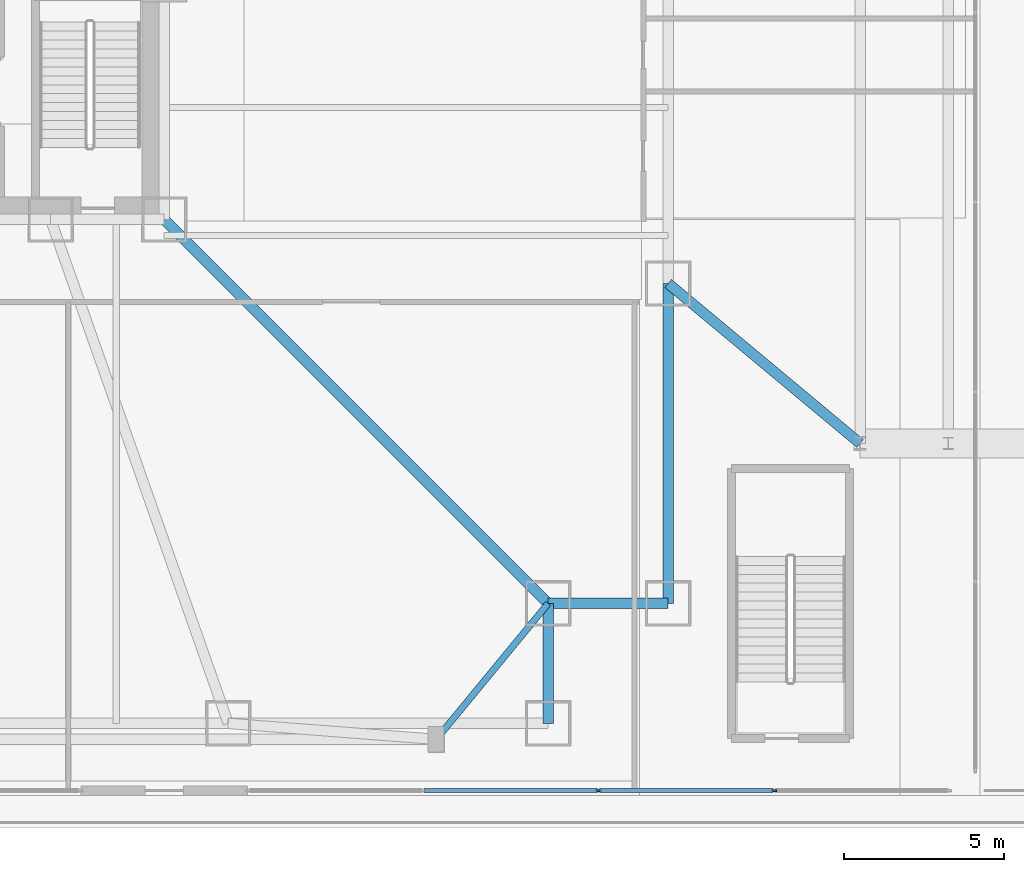
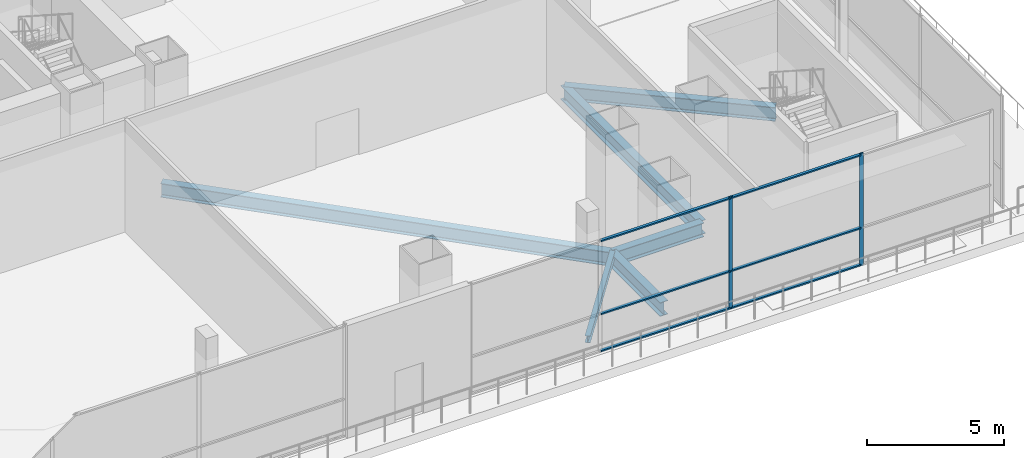
# One storey, part 10 of 36: 8 members, 6 beams, 1 element without a shape of its own.
"""IFC4 building model written with IfcOpenShell, lengths in metres."""

from ifc_helpers import new_model, si_unit, direction, frame, origin, origin_2d, place, context, subcontext, project, spatial, rectangle, i_section, extrude, material, layer, layer_set, material_profile, profile_set, type_object, element, aggregate, save


model = new_model("IFC4")

# Units and contexts
model_context = context("Model", 3, precision=1e-05, world=origin(), true_north=direction((0.0, 1.0)))
body_context = subcontext(model_context, "Body", "Model", "MODEL_VIEW")
ifc_project = project(units=[si_unit("LENGTHUNIT", "METRE"), si_unit("AREAUNIT", "SQUARE_METRE"), si_unit("VOLUMEUNIT", "CUBIC_METRE"), si_unit("PLANEANGLEUNIT", "RADIAN"), si_unit("MASSUNIT", "GRAM", prefix="KILO")], contexts=[model_context])

# Site, building, storey
site_placement = place(None, origin())
site = spatial("IfcSite", under=ifc_project, at=site_placement, CompositionType="ELEMENT")
building_placement = place(site_placement, origin())
building = spatial("IfcBuilding", under=site, at=building_placement, Name="Trevonay Congress Spire", CompositionType="ELEMENT")
storey_placement = place(building_placement, frame((0.0, 0.0, 16.199951171875)))
storey = spatial("IfcBuildingStorey", under=building, at=storey_placement, Name="L03", CompositionType="ELEMENT", Elevation=16.199951171875)

# Beams
ifc_material_1 = material(Name="Steel ASTM A572 Grade 50", Category="steel")
ifc_material_profile_1 = material_profile(ifc_material_1, i_section(OverallWidth=0.324951171875, OverallDepth=0.615966796875, WebThickness=0.013916015625, FlangeThickness=0.021484375, FilletRadius=0.01806640625, at=origin_2d()), Name="W610x174")
ifc_profile_set_1 = profile_set([ifc_material_profile_1], Name="Steel ASTM A572 Grade 50")
beam_type_1 = type_object("IfcBeamType", Name="BM-GIRD-W610X174", PredefinedType="BEAM", material=ifc_profile_set_1)
beam_1_placement = place(storey_placement, frame((19.5, -23.25, -0.7080078125), z_axis=(0.0, 1.0, 0.0), x_axis=(-1.0, 0.0, 0.0)))
element("IfcBeam", 1, at=beam_1_placement, inside=storey, type_object=beam_type_1, Name="L03 structural beam BM-L03-CSE", PredefinedType="BEAM", context=body_context, shape_type="SweptSolid", body=[
    extrude(i_section(OverallWidth=0.324951171875, OverallDepth=0.615966796875, WebThickness=0.013916015625, FlangeThickness=0.021484375, FilletRadius=0.01806640625, at=origin_2d()), origin(), (0.0, 0.0, 1.0), 3.75),
])
beam_2_placement = place(storey_placement, frame((23.25, -19.5, -0.7080078125), z_axis=(0.0, 1.0, 0.0), x_axis=(-1.0, 0.0, 0.0)))
element("IfcBeam", 2, at=beam_2_placement, inside=storey, type_object=beam_type_1, Name="L03 structural beam BM-L03-ME1", PredefinedType="BEAM", context=body_context, shape_type="SweptSolid", body=[
    extrude(i_section(OverallWidth=0.324951171875, OverallDepth=0.615966796875, WebThickness=0.013916015625, FlangeThickness=0.021484375, FilletRadius=0.01806640625, at=origin_2d()), origin(), (0.0, 0.0, 1.0), 10.0),
])
beam_3_placement = place(storey_placement, frame((23.25, -19.5, -0.7080078125), z_axis=(-1.0, 0.0, 0.0), x_axis=(0.0, -1.0, 0.0)))
element("IfcBeam", 3, at=beam_3_placement, inside=storey, type_object=beam_type_1, Name="L03 structural beam BM-L03-CES", PredefinedType="BEAM", context=body_context, shape_type="SweptSolid", body=[
    extrude(i_section(OverallWidth=0.324951171875, OverallDepth=0.615966796875, WebThickness=0.013916015625, FlangeThickness=0.021484375, FilletRadius=0.01806640625, at=origin_2d()), origin(), (0.0, 0.0, 1.0), 3.75),
])
beam_4_placement = place(storey_placement, frame((7.5, -7.5, -0.7080078125), z_axis=(0.707106781187, -0.707106781187, 0.0), x_axis=(0.707106781187, 0.707106781187, 0.0)))
element("IfcBeam", 4, at=beam_4_placement, inside=storey, type_object=beam_type_1, Name="L03 structural beam BM-L03-RAD-SE", PredefinedType="BEAM", context=body_context, shape_type="SweptSolid", body=[
    extrude(i_section(OverallWidth=0.324951171875, OverallDepth=0.615966796875, WebThickness=0.013916015625, FlangeThickness=0.021484375, FilletRadius=0.01806640625, at=origin_2d()), origin(), (0.0, 0.0, 1.0), 16.970458984375),
])
beam_5_placement = place(storey_placement, frame((23.25, -9.5, -0.7080078125), z_axis=(0.768221279597, -0.640184399664, 0.0), x_axis=(0.640184399664, 0.768221279597, 0.0)))
element("IfcBeam", 5, at=beam_5_placement, inside=storey, type_object=beam_type_1, Name="L03 structural beam BM-L03-POD-ET1", PredefinedType="BEAM", context=body_context, shape_type="SweptSolid", body=[
    extrude(i_section(OverallWidth=0.324951171875, OverallDepth=0.615966796875, WebThickness=0.013916015625, FlangeThickness=0.021484375, FilletRadius=0.01806640625, at=origin_2d()), origin(), (0.0, 0.0, 1.0), 7.810302734375),
])

# Curtain wall, members
ifc_material_2 = material(Name="Pale Anodised Aluminium EN AW-6063-T6", Category="aluminium")
ifc_layer = layer(ifc_material_2, 0.179931640625, Name="Pale Anodised Aluminium EN AW-6063-T6")
ifc_layer_set = layer_set([ifc_layer], Name="Pale Anodised Aluminium EN AW-6063-T6")
curtain_wall_type = type_object("IfcCurtainWallType", Name="CW-SYS01-PODIUM-PALE-METAL", PredefinedType="NOTDEFINED", material=ifc_layer_set)
curtain_wall_placement = place(storey_placement, origin())
curtain_wall = element("IfcCurtainWall", 6, at=curtain_wall_placement, inside=storey, type_object=curtain_wall_type, Name="L03 S2 podium curtain wall", PredefinedType="NOTDEFINED")
ifc_material_profile_2 = material_profile(ifc_material_2, rectangle(XDim=0.06005859375, YDim=0.159912109375, at=origin_2d()), Name="CW-MULLION-160-ALUMINIUM")
ifc_profile_set_2 = profile_set([ifc_material_profile_2], Name="Pale Anodised Aluminium EN AW-6063-T6")
member_type_1 = type_object("IfcMemberType", Name="CW-MULLION-160-ALUMINIUM", PredefinedType="MULLION", material=ifc_profile_set_2)
member_1_placement = place(storey_placement, frame((21.074951171875, -25.35009765625, 0.0), z_axis=(0.0, 0.0, 1.0), x_axis=(0.0, 1.0, 0.0)))
member_1 = element("IfcMember", 7, at=member_1_placement, type_object=member_type_1, Name="CW01 mullion 3", PredefinedType="MULLION", context=body_context, shape_type="SweptSolid", body=[
    extrude(rectangle(XDim=0.06005859375, YDim=0.159912109375, at=origin_2d()), origin(), (0.0, 0.0, 1.0), 5.0),
])
member_2_placement = place(storey_placement, frame((26.5625, -25.35009765625, 0.0), z_axis=(0.0, 0.0, 1.0), x_axis=(0.0, 1.0, 0.0)))
member_2 = element("IfcMember", 8, at=member_2_placement, type_object=member_type_1, Name="CW01 mullion 4", PredefinedType="MULLION", context=body_context, shape_type="SweptSolid", body=[
    extrude(rectangle(XDim=0.06005859375, YDim=0.159912109375, at=origin_2d()), origin(), (0.0, 0.0, 1.0), 5.0),
])
ifc_material_profile_3 = material_profile(ifc_material_2, rectangle(XDim=0.1201171875, YDim=0.06005859375, at=origin_2d()), Name="CW-TRANSOM-120-ALUMINIUM")
ifc_profile_set_3 = profile_set([ifc_material_profile_3], Name="Pale Anodised Aluminium EN AW-6063-T6")
member_type_2 = type_object("IfcMemberType", Name="CW-TRANSOM-120-ALUMINIUM", PredefinedType="USERDEFINED", material=ifc_profile_set_3)
member_3_placement = place(storey_placement, frame((15.617431640625, -25.35009765625, 0.06005859375), z_axis=(1.0, 0.0, 0.0), x_axis=(0.0, 1.0, 0.0)))
member_3 = element("IfcMember", 9, at=member_3_placement, type_object=member_type_2, Name="CW01 transom 2.1", ObjectType="TRANSOM", PredefinedType="USERDEFINED", context=body_context, shape_type="SweptSolid", body=[
    extrude(rectangle(XDim=0.1201171875, YDim=0.06005859375, at=origin_2d()), origin(), (0.0, 0.0, 1.0), 5.427490234375),
])
member_4_placement = place(storey_placement, frame((15.617431640625, -25.35009765625, 1.699951171875), z_axis=(1.0, 0.0, 0.0), x_axis=(0.0, 1.0, 0.0)))
member_4 = element("IfcMember", 10, at=member_4_placement, type_object=member_type_2, Name="CW01 transom 2.2", ObjectType="TRANSOM", PredefinedType="USERDEFINED", context=body_context, shape_type="SweptSolid", body=[
    extrude(rectangle(XDim=0.1201171875, YDim=0.06005859375, at=origin_2d()), origin(), (0.0, 0.0, 1.0), 5.427490234375),
])
member_5_placement = place(storey_placement, frame((15.617431640625, -25.35009765625, 4.93994140625), z_axis=(1.0, 0.0, 0.0), x_axis=(0.0, 1.0, 0.0)))
member_5 = element("IfcMember", 11, at=member_5_placement, type_object=member_type_2, Name="CW01 transom 2.3", ObjectType="TRANSOM", PredefinedType="USERDEFINED", context=body_context, shape_type="SweptSolid", body=[
    extrude(rectangle(XDim=0.1201171875, YDim=0.06005859375, at=origin_2d()), origin(), (0.0, 0.0, 1.0), 5.427490234375),
])
member_6_placement = place(storey_placement, frame((21.10498046875, -25.35009765625, 0.06005859375), z_axis=(1.0, 0.0, 0.0), x_axis=(0.0, 1.0, 0.0)))
member_6 = element("IfcMember", 12, at=member_6_placement, type_object=member_type_2, Name="CW01 transom 3.1", ObjectType="TRANSOM", PredefinedType="USERDEFINED", context=body_context, shape_type="SweptSolid", body=[
    extrude(rectangle(XDim=0.1201171875, YDim=0.06005859375, at=origin_2d()), origin(), (0.0, 0.0, 1.0), 5.427490234375),
])
member_7_placement = place(storey_placement, frame((21.10498046875, -25.35009765625, 1.699951171875), z_axis=(1.0, 0.0, 0.0), x_axis=(0.0, 1.0, 0.0)))
member_7 = element("IfcMember", 13, at=member_7_placement, type_object=member_type_2, Name="CW01 transom 3.2", ObjectType="TRANSOM", PredefinedType="USERDEFINED", context=body_context, shape_type="SweptSolid", body=[
    extrude(rectangle(XDim=0.1201171875, YDim=0.06005859375, at=origin_2d()), origin(), (0.0, 0.0, 1.0), 5.427490234375),
])
member_8_placement = place(storey_placement, frame((21.10498046875, -25.35009765625, 4.93994140625), z_axis=(1.0, 0.0, 0.0), x_axis=(0.0, 1.0, 0.0)))
member_8 = element("IfcMember", 14, at=member_8_placement, type_object=member_type_2, Name="CW01 transom 3.3", ObjectType="TRANSOM", PredefinedType="USERDEFINED", context=body_context, shape_type="SweptSolid", body=[
    extrude(rectangle(XDim=0.1201171875, YDim=0.06005859375, at=origin_2d()), origin(), (0.0, 0.0, 1.0), 5.427490234375),
])
aggregate(curtain_wall, [member_1, member_2, member_3, member_4, member_5, member_6, member_7, member_8])

# Beam
ifc_material_profile_4 = material_profile(ifc_material_1, i_section(OverallWidth=0.2041015625, OverallDepth=0.305908203125, WebThickness=0.008544921875, FlangeThickness=0.0146484375, FilletRadius=0.010986328125, at=origin_2d()), Name="W310x67")
ifc_profile_set_4 = profile_set([ifc_material_profile_4], Name="Steel ASTM A572 Grade 50")
beam_type_2 = type_object("IfcBeamType", Name="SPB-W310X67", PredefinedType="SPANDREL", material=ifc_profile_set_4)
beam_6_placement = place(storey_placement, frame((16.0, -23.75, -0.552978515625), z_axis=(0.635707252861, 0.771930235617, 0.0), x_axis=(-0.771930235617, 0.635707252861, 0.0)))
element("IfcBeam", 15, at=beam_6_placement, inside=storey, type_object=beam_type_2, Name="L03 structural beam SPB-L03-SE", PredefinedType="SPANDREL", context=body_context, shape_type="SweptSolid", body=[
    extrude(i_section(OverallWidth=0.2041015625, OverallDepth=0.305908203125, WebThickness=0.008544921875, FlangeThickness=0.0146484375, FilletRadius=0.010986328125, at=origin_2d()), origin(), (0.0, 0.0, 1.0), 5.505615234375),
])

save(model, "model.ifc")
